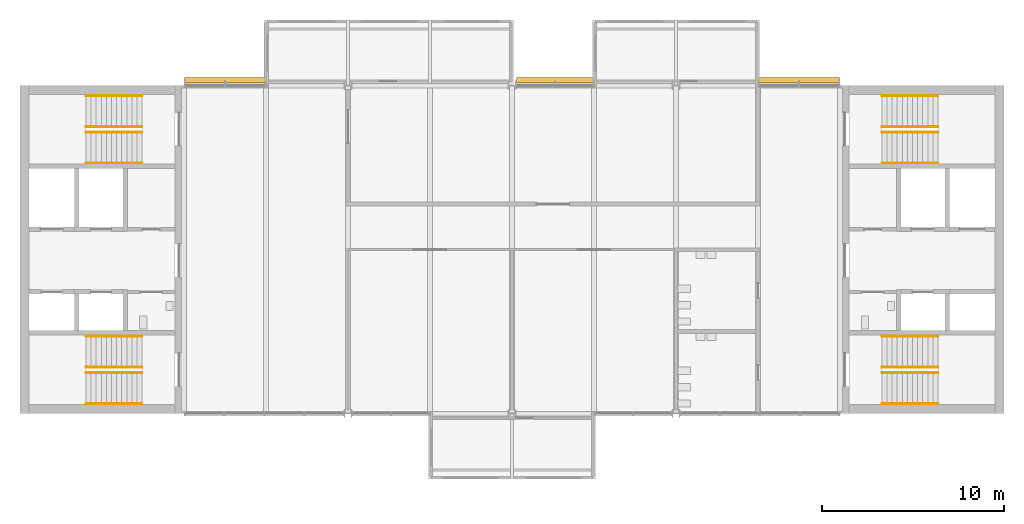
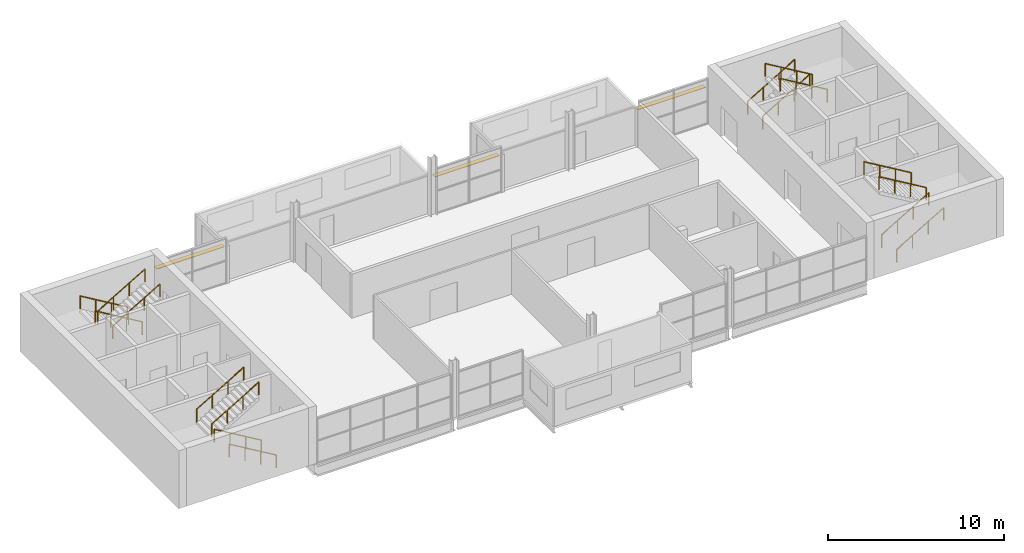
# One storey, part 9 of 10: 16 railings, 3 shading devices.
"""IFC4 building model written with IfcOpenShell, lengths in metres."""

from ifc_helpers import new_model, si_unit, direction, frame, origin, origin_2d, place, context, subcontext, project, spatial, rectangle, circle, extrude, material, layer, layer_set, type_object, element, save


model = new_model("IFC4")

# Units and contexts
model_context = context("Model", 3, precision=1e-05, world=origin(), true_north=direction((0.0, 1.0)))
body_context = subcontext(model_context, "Body", "Model", "MODEL_VIEW")
ifc_project = project(units=[si_unit("LENGTHUNIT", "METRE"), si_unit("AREAUNIT", "SQUARE_METRE"), si_unit("VOLUMEUNIT", "CUBIC_METRE"), si_unit("PLANEANGLEUNIT", "RADIAN"), si_unit("MASSUNIT", "GRAM", prefix="KILO")], contexts=[model_context])

# Site, building, storey
site_placement = place(None, origin())
site = spatial("IfcSite", under=ifc_project, at=site_placement, CompositionType="ELEMENT")
building_placement = place(site_placement, origin())
building = spatial("IfcBuilding", under=site, at=building_placement, Name="Corbel Yard City Hall", CompositionType="ELEMENT")
storey_placement = place(building_placement, frame((0.0, 0.0, 43.199951171875)))
storey = spatial("IfcBuildingStorey", under=building, at=storey_placement, Name="L10", CompositionType="ELEMENT", Elevation=43.199951171875)

# Railings
ifc_material_1 = material(Name="Stainless steel Grade 316", Category="steel")
railing_type = type_object("IfcRailingType", Name="HR1", PredefinedType="HANDRAIL", material=ifc_material_1)
for number, where, name in (
    (1, (6.699951171875, 99.550048828125, 0.166748046875), "Exit stair ST-W1 handrail"),
    (2, (6.699951171875, 101.25, 0.166748046875), "Exit stair ST-W1 handrail"),
):
    element("IfcRailing", number, at=place(storey_placement, frame(where)), inside=storey, type_object=railing_type, Name=name, PredefinedType="HANDRAIL", context=body_context, shape_type="SweptSolid", body=[
        extrude(circle(Radius=0.02392578125, at=origin_2d()), frame((0.0, 0.0, 0.8759765625), z_axis=(-0.859290745958, 0.0, 0.51148745235), x_axis=(0.0, -1.0, 0.0)), (0.0, 0.0, 1.0), 3.584228515625),
        extrude(circle(Radius=0.02099609375, at=origin_2d()), origin(), (0.0, 0.0, 1.0), 0.851806640625),
        extrude(circle(Radius=0.02099609375, at=origin_2d()), frame((-1.026611328125, 0.0, 0.611083984375)), (0.0, 0.0, 1.0), 0.851806640625),
        extrude(circle(Radius=0.02099609375, at=origin_2d()), frame((-2.05322265625, 0.0, 1.22216796875)), (0.0, 0.0, 1.0), 0.851806640625),
        extrude(circle(Radius=0.02099609375, at=origin_2d()), frame((-3.079833984375, 0.0, 1.833251953125)), (0.0, 0.0, 1.0), 0.851806640625),
    ])
for number, where, name in (
    (3, (3.6201171875, 101.550048828125, 2.166748046875), "Exit stair ST-W1 handrail"),
    (4, (3.6201171875, 103.25, 2.166748046875), "Exit stair ST-W1 handrail"),
):
    element("IfcRailing", number, at=place(storey_placement, frame(where)), inside=storey, type_object=railing_type, Name=name, PredefinedType="HANDRAIL", context=body_context, shape_type="SweptSolid", body=[
        extrude(circle(Radius=0.02392578125, at=origin_2d()), frame((0.0, 0.0, 0.8759765625), z_axis=(0.859290745958, 0.0, 0.51148745235), x_axis=(0.0, 1.0, 0.0)), (0.0, 0.0, 1.0), 3.584228515625),
        extrude(circle(Radius=0.02099609375, at=origin_2d()), origin(), (0.0, 0.0, 1.0), 0.851806640625),
        extrude(circle(Radius=0.02099609375, at=origin_2d()), frame((1.026611328125, 0.0, 0.611083984375)), (0.0, 0.0, 1.0), 0.851806640625),
        extrude(circle(Radius=0.02099609375, at=origin_2d()), frame((2.05322265625, 0.0, 1.22216796875)), (0.0, 0.0, 1.0), 0.851806640625),
        extrude(circle(Radius=0.02099609375, at=origin_2d()), frame((3.079833984375, 0.0, 1.833251953125)), (0.0, 0.0, 1.0), 0.851806640625),
    ])
for number, where, name in (
    (5, (6.699951171875, 116.449951171875, 0.166748046875), "Exit stair ST-W2 handrail"),
    (6, (6.699951171875, 114.75, 0.166748046875), "Exit stair ST-W2 handrail"),
):
    element("IfcRailing", number, at=place(storey_placement, frame(where)), inside=storey, type_object=railing_type, Name=name, PredefinedType="HANDRAIL", context=body_context, shape_type="SweptSolid", body=[
        extrude(circle(Radius=0.02392578125, at=origin_2d()), frame((0.0, 0.0, 0.8759765625), z_axis=(-0.859290745958, 0.0, 0.51148745235), x_axis=(0.0, -1.0, 0.0)), (0.0, 0.0, 1.0), 3.584228515625),
        extrude(circle(Radius=0.02099609375, at=origin_2d()), origin(), (0.0, 0.0, 1.0), 0.851806640625),
        extrude(circle(Radius=0.02099609375, at=origin_2d()), frame((-1.026611328125, 0.0, 0.611083984375)), (0.0, 0.0, 1.0), 0.851806640625),
        extrude(circle(Radius=0.02099609375, at=origin_2d()), frame((-2.05322265625, 0.0, 1.22216796875)), (0.0, 0.0, 1.0), 0.851806640625),
        extrude(circle(Radius=0.02099609375, at=origin_2d()), frame((-3.079833984375, 0.0, 1.833251953125)), (0.0, 0.0, 1.0), 0.851806640625),
    ])
for number, where, name in (
    (7, (3.6201171875, 114.449951171875, 2.166748046875), "Exit stair ST-W2 handrail"),
    (8, (3.6201171875, 112.75, 2.166748046875), "Exit stair ST-W2 handrail"),
    (9, (47.300048828125, 99.550048828125, 0.166748046875), "Exit stair ST-E1 handrail"),
    (10, (47.300048828125, 101.25, 0.166748046875), "Exit stair ST-E1 handrail"),
):
    element("IfcRailing", number, at=place(storey_placement, frame(where)), inside=storey, type_object=railing_type, Name=name, PredefinedType="HANDRAIL", context=body_context, shape_type="SweptSolid", body=[
        extrude(circle(Radius=0.02392578125, at=origin_2d()), frame((0.0, 0.0, 0.8759765625), z_axis=(0.859290745958, 0.0, 0.51148745235), x_axis=(0.0, 1.0, 0.0)), (0.0, 0.0, 1.0), 3.584228515625),
        extrude(circle(Radius=0.02099609375, at=origin_2d()), origin(), (0.0, 0.0, 1.0), 0.851806640625),
        extrude(circle(Radius=0.02099609375, at=origin_2d()), frame((1.026611328125, 0.0, 0.611083984375)), (0.0, 0.0, 1.0), 0.851806640625),
        extrude(circle(Radius=0.02099609375, at=origin_2d()), frame((2.05322265625, 0.0, 1.22216796875)), (0.0, 0.0, 1.0), 0.851806640625),
        extrude(circle(Radius=0.02099609375, at=origin_2d()), frame((3.079833984375, 0.0, 1.833251953125)), (0.0, 0.0, 1.0), 0.851806640625),
    ])
for number, where, name in (
    (11, (50.3798828125, 101.550048828125, 2.166748046875), "Exit stair ST-E1 handrail"),
    (12, (50.3798828125, 103.25, 2.166748046875), "Exit stair ST-E1 handrail"),
):
    element("IfcRailing", number, at=place(storey_placement, frame(where)), inside=storey, type_object=railing_type, Name=name, PredefinedType="HANDRAIL", context=body_context, shape_type="SweptSolid", body=[
        extrude(circle(Radius=0.02392578125, at=origin_2d()), frame((0.0, 0.0, 0.8759765625), z_axis=(-0.859290745958, 0.0, 0.51148745235), x_axis=(0.0, -1.0, 0.0)), (0.0, 0.0, 1.0), 3.584228515625),
        extrude(circle(Radius=0.02099609375, at=origin_2d()), origin(), (0.0, 0.0, 1.0), 0.851806640625),
        extrude(circle(Radius=0.02099609375, at=origin_2d()), frame((-1.026611328125, 0.0, 0.611083984375)), (0.0, 0.0, 1.0), 0.851806640625),
        extrude(circle(Radius=0.02099609375, at=origin_2d()), frame((-2.05322265625, 0.0, 1.22216796875)), (0.0, 0.0, 1.0), 0.851806640625),
        extrude(circle(Radius=0.02099609375, at=origin_2d()), frame((-3.079833984375, 0.0, 1.833251953125)), (0.0, 0.0, 1.0), 0.851806640625),
    ])
for number, where, name in (
    (13, (47.300048828125, 116.449951171875, 0.166748046875), "Exit stair ST-E2 handrail"),
    (14, (47.300048828125, 114.75, 0.166748046875), "Exit stair ST-E2 handrail"),
):
    element("IfcRailing", number, at=place(storey_placement, frame(where)), inside=storey, type_object=railing_type, Name=name, PredefinedType="HANDRAIL", context=body_context, shape_type="SweptSolid", body=[
        extrude(circle(Radius=0.02392578125, at=origin_2d()), frame((0.0, 0.0, 0.8759765625), z_axis=(0.859290745958, 0.0, 0.51148745235), x_axis=(0.0, 1.0, 0.0)), (0.0, 0.0, 1.0), 3.584228515625),
        extrude(circle(Radius=0.02099609375, at=origin_2d()), origin(), (0.0, 0.0, 1.0), 0.851806640625),
        extrude(circle(Radius=0.02099609375, at=origin_2d()), frame((1.026611328125, 0.0, 0.611083984375)), (0.0, 0.0, 1.0), 0.851806640625),
        extrude(circle(Radius=0.02099609375, at=origin_2d()), frame((2.05322265625, 0.0, 1.22216796875)), (0.0, 0.0, 1.0), 0.851806640625),
        extrude(circle(Radius=0.02099609375, at=origin_2d()), frame((3.079833984375, 0.0, 1.833251953125)), (0.0, 0.0, 1.0), 0.851806640625),
    ])
for number, where, name in (
    (15, (50.3798828125, 114.449951171875, 2.166748046875), "Exit stair ST-E2 handrail"),
    (16, (50.3798828125, 112.75, 2.166748046875), "Exit stair ST-E2 handrail"),
):
    element("IfcRailing", number, at=place(storey_placement, frame(where)), inside=storey, type_object=railing_type, Name=name, PredefinedType="HANDRAIL", context=body_context, shape_type="SweptSolid", body=[
        extrude(circle(Radius=0.02392578125, at=origin_2d()), frame((0.0, 0.0, 0.8759765625), z_axis=(-0.859290745958, 0.0, 0.51148745235), x_axis=(0.0, -1.0, 0.0)), (0.0, 0.0, 1.0), 3.584228515625),
        extrude(circle(Radius=0.02099609375, at=origin_2d()), origin(), (0.0, 0.0, 1.0), 0.851806640625),
        extrude(circle(Radius=0.02099609375, at=origin_2d()), frame((-1.026611328125, 0.0, 0.611083984375)), (0.0, 0.0, 1.0), 0.851806640625),
        extrude(circle(Radius=0.02099609375, at=origin_2d()), frame((-2.05322265625, 0.0, 1.22216796875)), (0.0, 0.0, 1.0), 0.851806640625),
        extrude(circle(Radius=0.02099609375, at=origin_2d()), frame((-3.079833984375, 0.0, 1.833251953125)), (0.0, 0.0, 1.0), 0.851806640625),
    ])

# Shading devices
ifc_material_2 = material(Name="Anodised aluminium", Category="aluminium")
ifc_layer = layer(ifc_material_2, 0.0400390625)
ifc_layer_set = layer_set([ifc_layer], Name="Anodised aluminium")
shading_device_type = type_object("IfcShadingDeviceType", Name="LV1", PredefinedType="JALOUSIE", material=ifc_layer_set)
shading_device_1_placement = place(storey_placement, frame((11.25, 117.2900390625, 2.392578125), z_axis=(0.0, 0.0, 1.0), x_axis=(1.0, 0.0, 0.0)))
element("IfcShadingDevice", 17, at=shading_device_1_placement, inside=storey, type_object=shading_device_type, Name="Louvre blade", PredefinedType="JALOUSIE", context=body_context, shape_type="SweptSolid", body=[
    extrude(rectangle(XDim=4.43505859375, YDim=0.300048828125, at=origin_2d()), origin(), (0.0, 0.0, 1.0), 0.0400390625),
])
shading_device_2_placement = place(storey_placement, frame((29.353515625, 117.2900390625, 2.392578125), z_axis=(0.0, 0.0, 1.0), x_axis=(1.0, 0.0, 0.0)))
element("IfcShadingDevice", 18, at=shading_device_2_placement, inside=storey, type_object=shading_device_type, Name="Louvre blade", PredefinedType="JALOUSIE", context=body_context, shape_type="SweptSolid", body=[
    extrude(rectangle(XDim=4.22802734375, YDim=0.300048828125, at=origin_2d()), origin(), (0.0, 0.0, 1.0), 0.0400390625),
])
shading_device_3_placement = place(storey_placement, frame((42.75, 117.2900390625, 2.392578125), z_axis=(0.0, 0.0, 1.0), x_axis=(1.0, 0.0, 0.0)))
element("IfcShadingDevice", 19, at=shading_device_3_placement, inside=storey, type_object=shading_device_type, Name="Louvre blade", PredefinedType="JALOUSIE", context=body_context, shape_type="SweptSolid", body=[
    extrude(rectangle(XDim=4.43505859375, YDim=0.300048828125, at=origin_2d()), origin(), (0.0, 0.0, 1.0), 0.0400390625),
])

save(model, "model.ifc")
